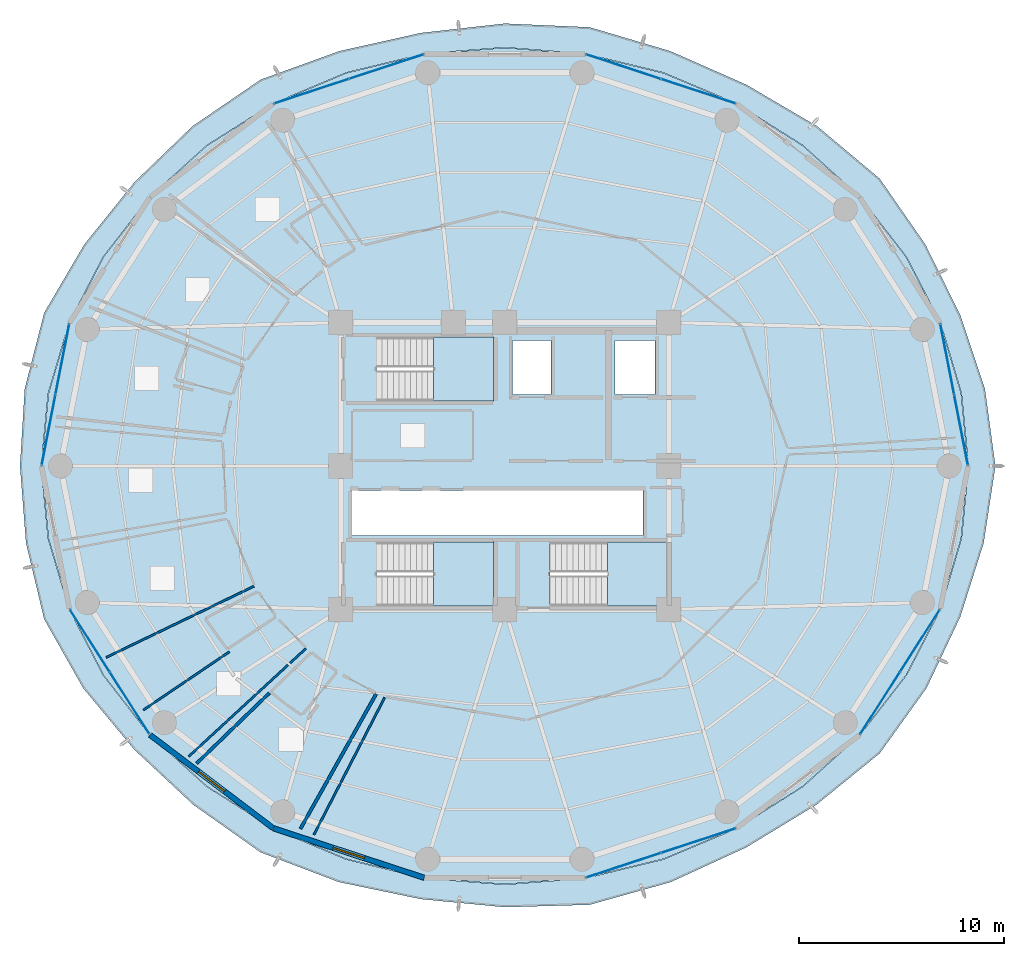
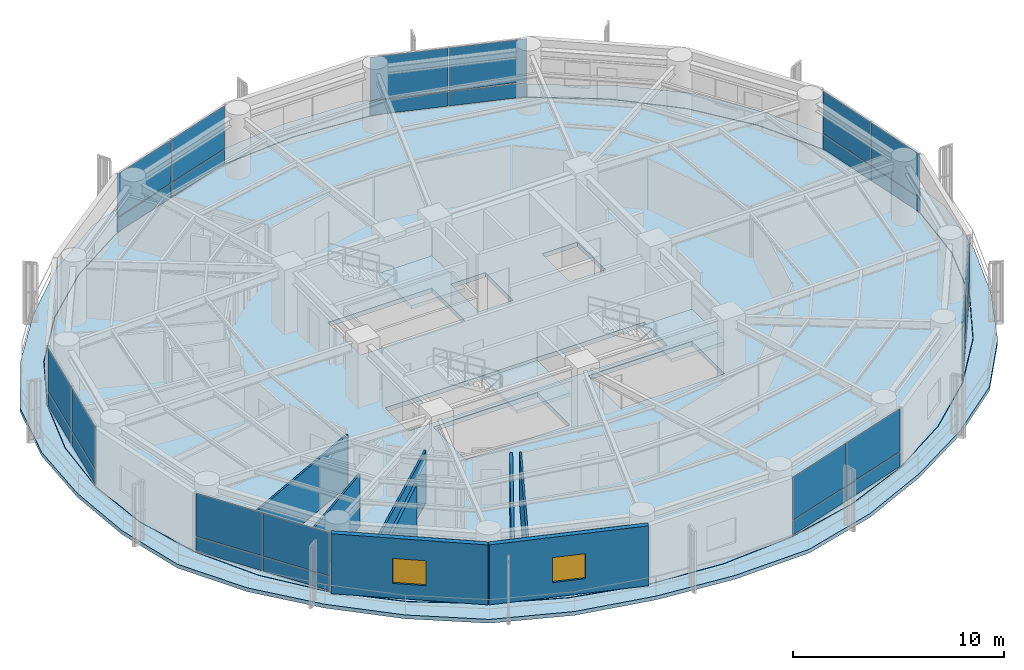
# One storey, part 21 of 28: 28 plates, 8 walls, 5 slabs, 2 windows, 2 openings, 10 elements without a shape of their own.
"""IFC4 building model written with IfcOpenShell, lengths in metres."""

from ifc_helpers import new_model, si_unit, direction, frame, frame_2d, origin, origin_2d, place, context, subcontext, project, spatial, polyline, rectangle, outline, extrude, source, transform, mapped, material, layer, layer_set, type_object, element, fill, aggregate, save


model = new_model("IFC4")

# Units and contexts
model_context = context("Model", 3, precision=1e-05, world=origin(), true_north=direction((0.0, 1.0)))
body_context = subcontext(model_context, "Body", "Model", "MODEL_VIEW")
ifc_project = project(units=[si_unit("LENGTHUNIT", "METRE"), si_unit("AREAUNIT", "SQUARE_METRE"), si_unit("VOLUMEUNIT", "CUBIC_METRE"), si_unit("PLANEANGLEUNIT", "RADIAN"), si_unit("MASSUNIT", "GRAM", prefix="KILO")], contexts=[model_context])

# Site, building, storey
site_placement = place(None, origin())
site = spatial("IfcSite", under=ifc_project, at=site_placement, CompositionType="ELEMENT")
building_placement = place(site_placement, origin())
building = spatial("IfcBuilding", under=site, at=building_placement, Name="Kelanora Arch Commons", CompositionType="ELEMENT")
storey_placement = place(building_placement, frame((0.0, 0.0, 158.10009765625)))
storey = spatial("IfcBuildingStorey", under=building, at=storey_placement, Name="L40", CompositionType="ELEMENT", Elevation=158.10009765625)

# Stair, slab
ifc_material_1 = material(Name="Concrete C40/50", Category="concrete")
stair_type = type_object("IfcStairType", Name="STR-DL-375", PredefinedType="HALF_TURN_STAIR", material=ifc_material_1)
stair_1_placement = place(storey_placement, origin())
stair_1 = element("IfcStair", 1, at=stair_1_placement, inside=storey, type_object=stair_type, Name="L40 ST-T1", PredefinedType="HALF_TURN_STAIR")
ifc_layer_1 = layer(ifc_material_1, 0.199951171875)
ifc_layer_set_1 = layer_set([ifc_layer_1], Name="Concrete C40/50")
slab_type_1 = type_object("IfcSlabType", Name="SLB-STAIR-LND", PredefinedType="LANDING", material=ifc_layer_set_1)
slab_1_placement = place(storey_placement, frame((0.0, 0.0, 1.6748046875)))
slab_1 = element("IfcSlab", 2, at=slab_1_placement, type_object=slab_type_1, Name="ST-T1 landing 1", PredefinedType="LANDING", context=body_context, shape_type="SweptSolid", body=[
    extrude(outline(polyline([(70.52001953125, 61.179931640625), (73.43994140625, 61.179931640625), (73.43994140625, 64.2900390625), (70.52001953125, 64.2900390625), (70.52001953125, 61.179931640625)])), origin(), (0.0, 0.0, 1.0), 0.2001953125),
])
aggregate(stair_1, [slab_1])

stair_2_placement = place(storey_placement, origin())
stair_2 = element("IfcStair", 3, at=stair_2_placement, inside=storey, type_object=stair_type, Name="L40 ST-T2", PredefinedType="HALF_TURN_STAIR")
slab_2_placement = place(storey_placement, frame((0.0, 0.0, 1.6748046875)))
slab_2 = element("IfcSlab", 4, at=slab_2_placement, type_object=slab_type_1, Name="ST-T2 landing 1", PredefinedType="LANDING", context=body_context, shape_type="SweptSolid", body=[
    extrude(outline(polyline([(79.0, 51.179931640625), (81.919921875, 51.179931640625), (81.919921875, 54.2900390625), (79.0, 54.2900390625), (79.0, 51.179931640625)])), origin(), (0.0, 0.0, 1.0), 0.2001953125),
])
aggregate(stair_2, [slab_2])

stair_3_placement = place(storey_placement, origin())
stair_3 = element("IfcStair", 5, at=stair_3_placement, inside=storey, type_object=stair_type, Name="L40 ST-T3", PredefinedType="HALF_TURN_STAIR")
slab_3_placement = place(storey_placement, frame((0.0, 0.0, 1.6748046875)))
slab_3 = element("IfcSlab", 6, at=slab_3_placement, type_object=slab_type_1, Name="ST-T3 landing 1", PredefinedType="LANDING", context=body_context, shape_type="SweptSolid", body=[
    extrude(outline(polyline([(70.52001953125, 51.179931640625), (73.43994140625, 51.179931640625), (73.43994140625, 54.2900390625), (70.52001953125, 54.2900390625), (70.52001953125, 51.179931640625)])), origin(), (0.0, 0.0, 1.0), 0.2001953125),
])
aggregate(stair_3, [slab_3])

# Slabs
ifc_layer_2 = layer(ifc_material_1, 0.260009765625)
ifc_layer_set_2 = layer_set([ifc_layer_2], Name="Concrete C40/50")
slab_type_2 = type_object("IfcSlabType", Name="SLB-TWR-TYP", PredefinedType="FLOOR", material=ifc_layer_set_2)
slab_4_placement = place(storey_placement, frame((0.0, 0.0, -0.260009765625)))
element("IfcSlab", 7, at=slab_4_placement, inside=storey, type_object=slab_type_2, Name="Tower Floor Slab L40", PredefinedType="FLOOR", context=body_context, shape_type="SweptSolid", body=[
    extrude(outline(polyline([(96.60009765625, 58.0), (96.256591796875, 61.54248046875), (95.237060546875, 64.977294921875), (93.572265625, 68.199951171875), (91.3125, 71.11279296875), (88.527099609375, 73.627197265625), (85.300048828125, 75.6669921875), (81.729736328125, 77.169677734375), (77.92431640625, 78.090087890625), (74.0, 78.39990234375), (70.07568359375, 78.090087890625), (66.270263671875, 77.169677734375), (62.699951171875, 75.6669921875), (59.472900390625, 73.627197265625), (56.6875, 71.11279296875), (54.427734375, 68.199951171875), (52.762939453125, 64.977294921875), (51.743408203125, 61.54248046875), (51.39990234375, 58.0), (51.743408203125, 54.45751953125), (52.762939453125, 51.022705078125), (54.427734375, 47.800048828125), (56.6875, 44.88720703125), (59.472900390625, 42.372802734375), (62.699951171875, 40.3330078125), (66.270263671875, 38.830322265625), (70.07568359375, 37.909912109375), (74.0, 37.60009765625), (77.92431640625, 37.909912109375), (81.729736328125, 38.830322265625), (85.300048828125, 40.3330078125), (88.527099609375, 42.372802734375), (91.3125, 44.88720703125), (93.572265625, 47.800048828125), (95.237060546875, 51.022705078125), (96.256591796875, 54.45751953125), (96.60009765625, 58.0)]), holes=[polyline([(73.431884765625, 51.18798828125), (67.72802734375, 51.18798828125), (67.72802734375, 54.281982421875), (73.431884765625, 54.281982421875), (73.431884765625, 51.18798828125)]), polyline([(76.2080078125, 51.18798828125), (76.2080078125, 54.281982421875), (81.912109375, 54.281982421875), (81.912109375, 51.18798828125), (76.2080078125, 51.18798828125)]), polyline([(66.550048828125, 54.60009765625), (66.550048828125, 56.800048828125), (80.75, 56.800048828125), (80.75, 54.60009765625), (66.550048828125, 54.60009765625)]), polyline([(73.431884765625, 61.18798828125), (67.72802734375, 61.18798828125), (67.72802734375, 64.281982421875), (73.431884765625, 64.281982421875), (73.431884765625, 61.18798828125)]), polyline([(74.3798828125, 61.47998046875), (74.3798828125, 64.1201171875), (76.260009765625, 64.1201171875), (76.260009765625, 61.47998046875), (74.3798828125, 61.47998046875)]), polyline([(79.3798828125, 61.47998046875), (79.3798828125, 64.1201171875), (81.320068359375, 64.1201171875), (81.320068359375, 61.47998046875), (79.3798828125, 61.47998046875)])]), origin(), (0.0, 0.0, 1.0), 0.260009765625),
])
ifc_layer_3 = layer(ifc_material_1, 0.219970703125)
ifc_layer_set_3 = layer_set([ifc_layer_3], Name="Concrete C40/50")
slab_type_3 = type_object("IfcSlabType", Name="SLB-WAVE-BAL", PredefinedType="FLOOR", material=ifc_layer_set_3)
slab_5_placement = place(storey_placement, frame((0.0, 0.0, -0.22021484375)))
element("IfcSlab", 8, at=slab_5_placement, inside=storey, type_object=slab_type_3, Name="Sinusoidal Wave Balcony Slab L40", PredefinedType="FLOOR", context=body_context, shape_type="SweptSolid", body=[
    extrude(outline(polyline([(97.9287109375, 58.0), (97.41748046875, 61.769287109375), (96.2109375, 65.369873046875), (94.515869140625, 68.8037109375), (92.285888671875, 72.017578125), (89.2412109375, 74.570068359375), (85.785400390625, 76.59814453125), (82.079345703125, 78.23388671875), (78.13330078125, 79.40234375), (74.0, 79.582763671875), (69.910400390625, 79.126953125), (65.920654296875, 78.23388671875), (62.0859375, 76.84521484375), (58.7587890625, 74.570068359375), (55.91845703125, 71.827880859375), (53.484130859375, 68.8037109375), (51.530517578125, 65.47412109375), (50.58251953125, 61.769287109375), (50.35009765625, 58.0), (50.643798828125, 54.242919921875), (51.530517578125, 50.52587890625), (53.431396484375, 47.16259765625), (55.91845703125, 44.172119140625), (58.796630859375, 41.479736328125), (62.0859375, 39.15478515625), (65.901123046875, 37.70654296875), (69.910400390625, 36.873046875), (74.0, 36.479736328125), (78.13330078125, 36.59765625), (82.098876953125, 37.70654296875), (85.785400390625, 39.40185546875), (89.203369140625, 41.479736328125), (92.285888671875, 43.982421875), (94.568603515625, 47.16259765625), (96.2109375, 50.630126953125), (97.356201171875, 54.242919921875), (97.9287109375, 58.0)]), holes=[polyline([(96.2763671875, 54.4541015625), (95.255859375, 51.015869140625), (93.589599609375, 47.7900390625), (91.327880859375, 44.874267578125), (88.539794921875, 42.357421875), (85.31005859375, 40.31591796875), (81.736572265625, 38.8115234375), (77.927978515625, 37.89013671875), (74.0, 37.580078125), (70.072021484375, 37.89013671875), (66.263427734375, 38.8115234375), (62.68994140625, 40.31591796875), (59.460205078125, 42.357421875), (56.672119140625, 44.874267578125), (54.410400390625, 47.7900390625), (52.744140625, 51.015869140625), (51.7236328125, 54.4541015625), (51.3798828125, 58.0), (51.7236328125, 61.5458984375), (52.744140625, 64.984130859375), (54.410400390625, 68.2099609375), (56.672119140625, 71.125732421875), (59.460205078125, 73.642578125), (62.68994140625, 75.68408203125), (66.263427734375, 77.1884765625), (70.072021484375, 78.10986328125), (74.0, 78.419921875), (77.927978515625, 78.10986328125), (81.736572265625, 77.1884765625), (85.31005859375, 75.68408203125), (88.539794921875, 73.642578125), (91.327880859375, 71.125732421875), (93.589599609375, 68.2099609375), (95.255859375, 64.984130859375), (96.2763671875, 61.5458984375), (96.6201171875, 58.0), (96.2763671875, 54.4541015625)])]), origin(), (0.0, 0.0, 1.0), 0.22021484375),
])

# Curtain wall, plates
ifc_material_2 = material(Name="Terracotta ceramic-fritted low-E glass and aluminium", Category="masonry")
ifc_layer_4 = layer(ifc_material_2, 0.175048828125)
ifc_layer_set_4 = layer_set([ifc_layer_4], Name="Terracotta ceramic-fritted low-E glass and aluminium")
curtain_wall_type = type_object("IfcCurtainWallType", Name="CW-SYS-02", PredefinedType="NOTDEFINED", material=ifc_layer_set_4)
curtain_wall_1_placement = place(storey_placement, origin())
curtain_wall_1 = element("IfcCurtainWall", 9, at=curtain_wall_1_placement, inside=storey, type_object=curtain_wall_type, Name="Unitised Curtain Wall L40-B00", PredefinedType="NOTDEFINED")
ifc_material_3 = material(Name="Terracotta ceramic-fritted double glazing", Category="masonry")
ifc_layer_5 = layer(ifc_material_3, 0.028076171875)
ifc_layer_set_5 = layer_set([ifc_layer_5], Name="Terracotta ceramic-fritted double glazing")
plate_type = type_object("IfcPlateType", Name="CWP-FRIT", PredefinedType="CURTAIN_PANEL", material=ifc_layer_set_5)
shared_shape_1 = source(origin(), body_context, "Body", "SweptSolid", [
    extrude(rectangle(XDim=3.449462890625, YDim=0.028076171875, at=origin_2d()), origin(), (0.0, 0.0, 1.0), 0.81005859375),
])
plate_1_placement = place(storey_placement, frame((96.2548828125, 59.766357421875, 0.059814453125), z_axis=(0.0, 0.0, 1.0), x_axis=(-0.191705182375, 0.981452557718, 0.0)))
plate_1 = element("IfcPlate", 10, at=plate_1_placement, type_object=plate_type, Name="CW-02 panel 1.1", PredefinedType="CURTAIN_PANEL", context=body_context, shape_type="MappedRepresentation", body=[
    mapped(shared_shape_1, transform((0.0, 0.0, 0.0), scale=1.0)),
])
plate_2_placement = place(storey_placement, frame((95.58203125, 63.2109375, 0.059814453125), z_axis=(0.0, 0.0, 1.0), x_axis=(-0.191705182375, 0.981452557718, 0.0)))
plate_2 = element("IfcPlate", 11, at=plate_2_placement, type_object=plate_type, Name="CW-02 panel 2.1", PredefinedType="CURTAIN_PANEL", context=body_context, shape_type="MappedRepresentation", body=[
    mapped(shared_shape_1, transform((0.0, 0.0, 0.0), scale=1.0)),
])

curtain_wall_2_placement = place(storey_placement, origin())
curtain_wall_2 = element("IfcCurtainWall", 12, at=curtain_wall_2_placement, inside=storey, type_object=curtain_wall_type, Name="Unitised Curtain Wall L40-B08", PredefinedType="NOTDEFINED")
plate_3_placement = place(storey_placement, frame((52.41796875, 63.2109375, 0.059814453125), z_axis=(0.0, 0.0, 1.0), x_axis=(-0.191705182375, -0.981452557718, 0.0)))
plate_3 = element("IfcPlate", 13, at=plate_3_placement, type_object=plate_type, Name="CW-02 panel 1.1", PredefinedType="CURTAIN_PANEL", context=body_context, shape_type="MappedRepresentation", body=[
    mapped(shared_shape_1, transform((0.0, 0.0, 0.0), scale=1.0)),
])
plate_4_placement = place(storey_placement, frame((51.7451171875, 59.766357421875, 0.059814453125), z_axis=(0.0, 0.0, 1.0), x_axis=(-0.191705182375, -0.981452557718, 0.0)))
plate_4 = element("IfcPlate", 14, at=plate_4_placement, type_object=plate_type, Name="CW-02 panel 2.1", PredefinedType="CURTAIN_PANEL", context=body_context, shape_type="MappedRepresentation", body=[
    mapped(shared_shape_1, transform((0.0, 0.0, 0.0), scale=1.0)),
])

# Plate
shared_shape_2 = source(origin(), body_context, "Body", "SweptSolid", [
    extrude(rectangle(XDim=3.449462890625, YDim=0.028076171875, at=origin_2d()), origin(), (0.0, 0.0, 1.0), 2.485107421875),
])
plate_5_placement = place(storey_placement, frame((96.2548828125, 59.766357421875, 0.9296875), z_axis=(0.0, 0.0, 1.0), x_axis=(-0.191705182375, 0.981452557718, 0.0)))
plate_5 = element("IfcPlate", 15, at=plate_5_placement, type_object=plate_type, Name="CW-02 panel 1.2", PredefinedType="CURTAIN_PANEL", context=body_context, shape_type="MappedRepresentation", body=[
    mapped(shared_shape_2, transform((0.0, 0.0, 0.0), scale=1.0)),
])

plate_6_placement = place(storey_placement, frame((95.58203125, 63.2109375, 0.9296875), z_axis=(0.0, 0.0, 1.0), x_axis=(-0.191705182375, 0.981452557718, 0.0)))
plate_6 = element("IfcPlate", 16, at=plate_6_placement, type_object=plate_type, Name="CW-02 panel 2.2", PredefinedType="CURTAIN_PANEL", context=body_context, shape_type="MappedRepresentation", body=[
    mapped(shared_shape_2, transform((0.0, 0.0, 0.0), scale=1.0)),
])

aggregate(curtain_wall_1, [plate_1, plate_5, plate_2, plate_6])

plate_7_placement = place(storey_placement, frame((52.41796875, 63.2109375, 0.9296875), z_axis=(0.0, 0.0, 1.0), x_axis=(-0.191705182375, -0.981452557718, 0.0)))
plate_7 = element("IfcPlate", 17, at=plate_7_placement, type_object=plate_type, Name="CW-02 panel 1.2", PredefinedType="CURTAIN_PANEL", context=body_context, shape_type="MappedRepresentation", body=[
    mapped(shared_shape_2, transform((0.0, 0.0, 0.0), scale=1.0)),
])

plate_8_placement = place(storey_placement, frame((51.7451171875, 59.766357421875, 0.9296875), z_axis=(0.0, 0.0, 1.0), x_axis=(-0.191705182375, -0.981452557718, 0.0)))
plate_8 = element("IfcPlate", 18, at=plate_8_placement, type_object=plate_type, Name="CW-02 panel 2.2", PredefinedType="CURTAIN_PANEL", context=body_context, shape_type="MappedRepresentation", body=[
    mapped(shared_shape_2, transform((0.0, 0.0, 0.0), scale=1.0)),
])

aggregate(curtain_wall_2, [plate_3, plate_7, plate_4, plate_8])

# Curtain wall, plates
curtain_wall_3_placement = place(storey_placement, origin())
curtain_wall_3 = element("IfcCurtainWall", 19, at=curtain_wall_3_placement, inside=storey, type_object=curtain_wall_type, Name="Unitised Curtain Wall L40-B03", PredefinedType="NOTDEFINED")
shared_shape_3 = source(origin(), body_context, "Body", "SweptSolid", [
    extrude(rectangle(XDim=3.776611328125, YDim=0.028076171875, at=origin_2d()), origin(), (0.0, 0.0, 1.0), 0.81005859375),
])
plate_9_placement = place(storey_placement, frame((83.434814453125, 76.27978515625, 0.059814453125), z_axis=(0.0, 0.0, 1.0), x_axis=(-0.95003996605, 0.312128279571, 0.0)))
plate_9 = element("IfcPlate", 20, at=plate_9_placement, type_object=plate_type, Name="CW-02 panel 1.1", PredefinedType="CURTAIN_PANEL", context=body_context, shape_type="MappedRepresentation", body=[
    mapped(shared_shape_3, transform((0.0, 0.0, 0.0), scale=1.0)),
])
plate_10_placement = place(storey_placement, frame((79.789794921875, 77.477294921875, 0.059814453125), z_axis=(0.0, 0.0, 1.0), x_axis=(-0.95003996605, 0.312128279571, 0.0)))
plate_10 = element("IfcPlate", 21, at=plate_10_placement, type_object=plate_type, Name="CW-02 panel 2.1", PredefinedType="CURTAIN_PANEL", context=body_context, shape_type="MappedRepresentation", body=[
    mapped(shared_shape_3, transform((0.0, 0.0, 0.0), scale=1.0)),
])

curtain_wall_4_placement = place(storey_placement, origin())
curtain_wall_4 = element("IfcCurtainWall", 22, at=curtain_wall_4_placement, inside=storey, type_object=curtain_wall_type, Name="Unitised Curtain Wall L40-B05", PredefinedType="NOTDEFINED")
plate_11_placement = place(storey_placement, frame((68.210205078125, 77.477294921875, 0.059814453125), z_axis=(0.0, 0.0, 1.0), x_axis=(-0.95003996605, -0.312128279571, 0.0)))
plate_11 = element("IfcPlate", 23, at=plate_11_placement, type_object=plate_type, Name="CW-02 panel 1.1", PredefinedType="CURTAIN_PANEL", context=body_context, shape_type="MappedRepresentation", body=[
    mapped(shared_shape_3, transform((0.0, 0.0, 0.0), scale=1.0)),
])
plate_12_placement = place(storey_placement, frame((64.565185546875, 76.27978515625, 0.059814453125), z_axis=(0.0, 0.0, 1.0), x_axis=(-0.95003996605, -0.312128279571, 0.0)))
plate_12 = element("IfcPlate", 24, at=plate_12_placement, type_object=plate_type, Name="CW-02 panel 2.1", PredefinedType="CURTAIN_PANEL", context=body_context, shape_type="MappedRepresentation", body=[
    mapped(shared_shape_3, transform((0.0, 0.0, 0.0), scale=1.0)),
])

curtain_wall_5_placement = place(storey_placement, origin())
curtain_wall_5 = element("IfcCurtainWall", 25, at=curtain_wall_5_placement, inside=storey, type_object=curtain_wall_type, Name="Unitised Curtain Wall L40-B14", PredefinedType="NOTDEFINED")
plate_13_placement = place(storey_placement, frame((79.789794921875, 38.522705078125, 0.059814453125), z_axis=(0.0, 0.0, 1.0), x_axis=(0.95003996605, 0.312128279571, 0.0)))
plate_13 = element("IfcPlate", 26, at=plate_13_placement, type_object=plate_type, Name="CW-02 panel 1.1", PredefinedType="CURTAIN_PANEL", context=body_context, shape_type="MappedRepresentation", body=[
    mapped(shared_shape_3, transform((0.0, 0.0, 0.0), scale=1.0)),
])
plate_14_placement = place(storey_placement, frame((83.434814453125, 39.72021484375, 0.059814453125), z_axis=(0.0, 0.0, 1.0), x_axis=(0.95003996605, 0.312128279571, 0.0)))
plate_14 = element("IfcPlate", 27, at=plate_14_placement, type_object=plate_type, Name="CW-02 panel 2.1", PredefinedType="CURTAIN_PANEL", context=body_context, shape_type="MappedRepresentation", body=[
    mapped(shared_shape_3, transform((0.0, 0.0, 0.0), scale=1.0)),
])

# Plate
shared_shape_4 = source(origin(), body_context, "Body", "SweptSolid", [
    extrude(rectangle(XDim=3.776611328125, YDim=0.028076171875, at=origin_2d()), origin(), (0.0, 0.0, 1.0), 2.485107421875),
])
plate_15_placement = place(storey_placement, frame((83.434814453125, 76.27978515625, 0.9296875), z_axis=(0.0, 0.0, 1.0), x_axis=(-0.95003996605, 0.312128279571, 0.0)))
plate_15 = element("IfcPlate", 28, at=plate_15_placement, type_object=plate_type, Name="CW-02 panel 1.2", PredefinedType="CURTAIN_PANEL", context=body_context, shape_type="MappedRepresentation", body=[
    mapped(shared_shape_4, transform((0.0, 0.0, 0.0), scale=1.0)),
])

plate_16_placement = place(storey_placement, frame((79.789794921875, 77.477294921875, 0.9296875), z_axis=(0.0, 0.0, 1.0), x_axis=(-0.95003996605, 0.312128279571, 0.0)))
plate_16 = element("IfcPlate", 29, at=plate_16_placement, type_object=plate_type, Name="CW-02 panel 2.2", PredefinedType="CURTAIN_PANEL", context=body_context, shape_type="MappedRepresentation", body=[
    mapped(shared_shape_4, transform((0.0, 0.0, 0.0), scale=1.0)),
])

aggregate(curtain_wall_3, [plate_9, plate_15, plate_10, plate_16])

plate_17_placement = place(storey_placement, frame((68.210205078125, 77.477294921875, 0.9296875), z_axis=(0.0, 0.0, 1.0), x_axis=(-0.95003996605, -0.312128279571, 0.0)))
plate_17 = element("IfcPlate", 30, at=plate_17_placement, type_object=plate_type, Name="CW-02 panel 1.2", PredefinedType="CURTAIN_PANEL", context=body_context, shape_type="MappedRepresentation", body=[
    mapped(shared_shape_4, transform((0.0, 0.0, 0.0), scale=1.0)),
])

plate_18_placement = place(storey_placement, frame((64.565185546875, 76.27978515625, 0.9296875), z_axis=(0.0, 0.0, 1.0), x_axis=(-0.95003996605, -0.312128279571, 0.0)))
plate_18 = element("IfcPlate", 31, at=plate_18_placement, type_object=plate_type, Name="CW-02 panel 2.2", PredefinedType="CURTAIN_PANEL", context=body_context, shape_type="MappedRepresentation", body=[
    mapped(shared_shape_4, transform((0.0, 0.0, 0.0), scale=1.0)),
])

aggregate(curtain_wall_4, [plate_11, plate_17, plate_12, plate_18])

plate_19_placement = place(storey_placement, frame((79.789794921875, 38.522705078125, 0.9296875), z_axis=(0.0, 0.0, 1.0), x_axis=(0.95003996605, 0.312128279571, 0.0)))
plate_19 = element("IfcPlate", 32, at=plate_19_placement, type_object=plate_type, Name="CW-02 panel 1.2", PredefinedType="CURTAIN_PANEL", context=body_context, shape_type="MappedRepresentation", body=[
    mapped(shared_shape_4, transform((0.0, 0.0, 0.0), scale=1.0)),
])

plate_20_placement = place(storey_placement, frame((83.434814453125, 39.72021484375, 0.9296875), z_axis=(0.0, 0.0, 1.0), x_axis=(0.95003996605, 0.312128279571, 0.0)))
plate_20 = element("IfcPlate", 33, at=plate_20_placement, type_object=plate_type, Name="CW-02 panel 2.2", PredefinedType="CURTAIN_PANEL", context=body_context, shape_type="MappedRepresentation", body=[
    mapped(shared_shape_4, transform((0.0, 0.0, 0.0), scale=1.0)),
])

aggregate(curtain_wall_5, [plate_13, plate_19, plate_14, plate_20])

# Curtain wall, plates
curtain_wall_6_placement = place(storey_placement, origin())
curtain_wall_6 = element("IfcCurtainWall", 34, at=curtain_wall_6_placement, inside=storey, type_object=curtain_wall_type, Name="Unitised Curtain Wall L40-B10", PredefinedType="NOTDEFINED")
shared_shape_5 = source(origin(), body_context, "Body", "SweptSolid", [
    extrude(rectangle(XDim=3.53662109375, YDim=0.028076171875, at=origin_2d()), origin(), (0.0, 0.0, 1.0), 0.81005859375),
])
plate_21_placement = place(storey_placement, frame((53.756103515625, 49.469970703125, 0.059814453125), z_axis=(0.0, 0.0, 1.0), x_axis=(0.538816988983, -0.842422846546, 0.0)))
plate_21 = element("IfcPlate", 35, at=plate_21_placement, type_object=plate_type, Name="CW-02 panel 1.1", PredefinedType="CURTAIN_PANEL", context=body_context, shape_type="MappedRepresentation", body=[
    mapped(shared_shape_5, transform((0.0, 0.0, 0.0), scale=1.0)),
])
plate_22_placement = place(storey_placement, frame((55.694091796875, 46.43994140625, 0.059814453125), z_axis=(0.0, 0.0, 1.0), x_axis=(0.538816988983, -0.842422846546, 0.0)))
plate_22 = element("IfcPlate", 36, at=plate_22_placement, type_object=plate_type, Name="CW-02 panel 2.1", PredefinedType="CURTAIN_PANEL", context=body_context, shape_type="MappedRepresentation", body=[
    mapped(shared_shape_5, transform((0.0, 0.0, 0.0), scale=1.0)),
])

curtain_wall_7_placement = place(storey_placement, origin())
curtain_wall_7 = element("IfcCurtainWall", 37, at=curtain_wall_7_placement, inside=storey, type_object=curtain_wall_type, Name="Unitised Curtain Wall L40-B16", PredefinedType="NOTDEFINED")
plate_23_placement = place(storey_placement, frame((92.305908203125, 46.43994140625, 0.059814453125), z_axis=(0.0, 0.0, 1.0), x_axis=(0.538816988983, 0.842422846546, 0.0)))
plate_23 = element("IfcPlate", 38, at=plate_23_placement, type_object=plate_type, Name="CW-02 panel 1.1", PredefinedType="CURTAIN_PANEL", context=body_context, shape_type="MappedRepresentation", body=[
    mapped(shared_shape_5, transform((0.0, 0.0, 0.0), scale=1.0)),
])
plate_24_placement = place(storey_placement, frame((94.243896484375, 49.469970703125, 0.059814453125), z_axis=(0.0, 0.0, 1.0), x_axis=(0.538816988983, 0.842422846546, 0.0)))
plate_24 = element("IfcPlate", 39, at=plate_24_placement, type_object=plate_type, Name="CW-02 panel 2.1", PredefinedType="CURTAIN_PANEL", context=body_context, shape_type="MappedRepresentation", body=[
    mapped(shared_shape_5, transform((0.0, 0.0, 0.0), scale=1.0)),
])

# Plate
shared_shape_6 = source(origin(), body_context, "Body", "SweptSolid", [
    extrude(rectangle(XDim=3.53662109375, YDim=0.028076171875, at=origin_2d()), origin(), (0.0, 0.0, 1.0), 2.485107421875),
])
plate_25_placement = place(storey_placement, frame((53.756103515625, 49.469970703125, 0.9296875), z_axis=(0.0, 0.0, 1.0), x_axis=(0.538816988983, -0.842422846546, 0.0)))
plate_25 = element("IfcPlate", 40, at=plate_25_placement, type_object=plate_type, Name="CW-02 panel 1.2", PredefinedType="CURTAIN_PANEL", context=body_context, shape_type="MappedRepresentation", body=[
    mapped(shared_shape_6, transform((0.0, 0.0, 0.0), scale=1.0)),
])

plate_26_placement = place(storey_placement, frame((55.694091796875, 46.43994140625, 0.9296875), z_axis=(0.0, 0.0, 1.0), x_axis=(0.538816988983, -0.842422846546, 0.0)))
plate_26 = element("IfcPlate", 41, at=plate_26_placement, type_object=plate_type, Name="CW-02 panel 2.2", PredefinedType="CURTAIN_PANEL", context=body_context, shape_type="MappedRepresentation", body=[
    mapped(shared_shape_6, transform((0.0, 0.0, 0.0), scale=1.0)),
])

aggregate(curtain_wall_6, [plate_21, plate_25, plate_22, plate_26])

plate_27_placement = place(storey_placement, frame((92.305908203125, 46.43994140625, 0.9296875), z_axis=(0.0, 0.0, 1.0), x_axis=(0.538816988983, 0.842422846546, 0.0)))
plate_27 = element("IfcPlate", 42, at=plate_27_placement, type_object=plate_type, Name="CW-02 panel 1.2", PredefinedType="CURTAIN_PANEL", context=body_context, shape_type="MappedRepresentation", body=[
    mapped(shared_shape_6, transform((0.0, 0.0, 0.0), scale=1.0)),
])

plate_28_placement = place(storey_placement, frame((94.243896484375, 49.469970703125, 0.9296875), z_axis=(0.0, 0.0, 1.0), x_axis=(0.538816988983, 0.842422846546, 0.0)))
plate_28 = element("IfcPlate", 43, at=plate_28_placement, type_object=plate_type, Name="CW-02 panel 2.2", PredefinedType="CURTAIN_PANEL", context=body_context, shape_type="MappedRepresentation", body=[
    mapped(shared_shape_6, transform((0.0, 0.0, 0.0), scale=1.0)),
])

aggregate(curtain_wall_7, [plate_23, plate_27, plate_24, plate_28])

# Walls
ifc_material_4 = material(Name="Autoclaved aerated concrete blockwork with fire plaster", Category="masonry")
ifc_layer_6 = layer(ifc_material_4, 0.14990234375)
ifc_layer_set_6 = layer_set([ifc_layer_6], Name="Autoclaved aerated concrete blockwork with fire plaster")
wall_type_1 = type_object("IfcWallType", Name="W-COMP-150", PredefinedType="PARTITIONING", material=ifc_layer_set_6)
wall_1_placement = place(storey_placement, frame((67.723388671875, 46.880126953125, 0.0), z_axis=(0.0, 0.0, 1.0), x_axis=(-0.489843086235, -0.8718106164, 0.0)))
element("IfcWall", 44, at=wall_1_placement, inside=storey, type_object=wall_type_1, Name="Cluster Bedroom L40-07 Enclosure Partition 2", PredefinedType="PARTITIONING", context=body_context, shape_type="SweptSolid", body=[
    extrude(rectangle(XDim=7.540771484375, YDim=0.14990234375, at=frame_2d((3.7705078125, 0.0))), origin(), (0.0, 0.0, 1.0), 3.02490234375),
])
wall_2_placement = place(storey_placement, frame((58.9658203125, 43.49169921875, 0.0), z_axis=(0.0, 0.0, 1.0), x_axis=(0.718569427948, 0.695455230204, 0.0)))
element("IfcWall", 45, at=wall_2_placement, inside=storey, type_object=wall_type_1, Name="Cluster Bedroom L40-07 Enclosure Partition 5", PredefinedType="PARTITIONING", context=body_context, shape_type="SweptSolid", body=[
    extrude(rectangle(XDim=4.9326171875, YDim=0.14990234375, at=frame_2d((2.46630859375, 0.0))), origin(), (0.0, 0.0, 1.0), 3.02490234375),
])

# Wall, opening, window
ifc_material_5 = material(Name="Precast concrete C40/50 with terracotta rainscreen", Category="masonry")
ifc_layer_7 = layer(ifc_material_5, 0.260009765625)
ifc_layer_set_7 = layer_set([ifc_layer_7], Name="Precast concrete C40/50 with terracotta rainscreen")
wall_type_2 = type_object("IfcWallType", Name="W-EXT-TC", PredefinedType="SOLIDWALL", material=ifc_layer_set_7)
wall_3_placement = place(storey_placement, frame((56.699462890625, 44.8779296875, 0.0), z_axis=(0.0, 0.0, 1.0), x_axis=(0.797163719609, -0.603763202042, 0.0)))
wall_3 = element("IfcWall", 46, at=wall_3_placement, inside=storey, type_object=wall_type_2, Name="Terracotta Exterior Wall L40-B11", PredefinedType="SOLIDWALL", context=body_context, shape_type="SweptSolid", body=[
    extrude(rectangle(XDim=7.51220703125, YDim=0.260009765625, at=frame_2d((3.756103515625, 0.0))), origin(), (0.0, 0.0, 1.0), 3.474853515625),
])
opening_1_placement = place(wall_3_placement, frame((2.9560546875, 0.0, 0.85009765625)))
opening_1 = element("IfcOpeningElement", 47, at=opening_1_placement, cuts=wall_3, Name="Opening WN-01", PredefinedType="OPENING", context=body_context, shape_type="SweptSolid", body=[
    extrude(rectangle(XDim=1.60009765625, YDim=1.449951171875, at=frame_2d((0.800048828125, 0.72509765625))), frame((0.0, 0.14013671875, 0.0), z_axis=(0.0, -1.0, 0.0), x_axis=(1.0, 0.0, 0.0)), (0.0, 0.0, 1.0), 0.280029296875),
])
ifc_material_6 = material(Name="Terracotta-anodised aluminium frame with operable low-E glazing", Category="masonry")
window_type = type_object("IfcWindowType", Name="WIN-CL-18", PartitioningType="DOUBLE_PANEL_VERTICAL", PredefinedType="WINDOW", material=ifc_material_6)
window_1_placement = place(opening_1_placement, origin())
window_1 = element("IfcWindow", 48, at=window_1_placement, inside=storey, type_object=window_type, Name="Co-Living Operable Window L40-B11", OverallHeight=1.449951171875, OverallWidth=1.60009765625, PartitioningType="SINGLE_PANEL", PredefinedType="WINDOW", context=body_context, shape_type="SweptSolid", body=[
    extrude(rectangle(XDim=1.60009765625, YDim=1.449951171875, at=frame_2d((0.800048828125, 0.72509765625))), frame((0.0, 0.030029296875, 0.0), z_axis=(0.0, -1.0, 0.0), x_axis=(1.0, 0.0, 0.0)), (0.0, 0.0, 1.0), 0.06005859375),
])
fill(opening_1, window_1)

wall_4_placement = place(storey_placement, frame((62.71435546875, 40.328369140625, 0.0), z_axis=(0.0, 0.0, 1.0), x_axis=(0.950038302428, -0.312133343173, 0.0)))
wall_4 = element("IfcWall", 49, at=wall_4_placement, inside=storey, type_object=wall_type_2, Name="Terracotta Exterior Wall L40-B12", PredefinedType="SOLIDWALL", context=body_context, shape_type="SweptSolid", body=[
    extrude(rectangle(XDim=7.7333984375, YDim=0.260009765625, at=frame_2d((3.86669921875, 0.0))), origin(), (0.0, 0.0, 1.0), 3.474853515625),
])
opening_2_placement = place(wall_4_placement, frame((3.06689453125, 0.0, 0.85009765625)))
opening_2 = element("IfcOpeningElement", 50, at=opening_2_placement, cuts=wall_4, Name="Opening WN-01", PredefinedType="OPENING", context=body_context, shape_type="SweptSolid", body=[
    extrude(rectangle(XDim=1.60009765625, YDim=1.449951171875, at=frame_2d((0.800048828125, 0.72509765625))), frame((0.0, 0.14013671875, 0.0), z_axis=(0.0, -1.0, 0.0), x_axis=(1.0, 0.0, 0.0)), (0.0, 0.0, 1.0), 0.280029296875),
])
window_2_placement = place(opening_2_placement, origin())
window_2 = element("IfcWindow", 51, at=window_2_placement, inside=storey, type_object=window_type, Name="Co-Living Operable Window L40-B12", OverallHeight=1.449951171875, OverallWidth=1.60009765625, PartitioningType="SINGLE_PANEL", PredefinedType="WINDOW", context=body_context, shape_type="SweptSolid", body=[
    extrude(rectangle(XDim=1.60009765625, YDim=1.449951171875, at=frame_2d((0.800048828125, 0.72509765625))), frame((0.0, 0.030029296875, 0.0), z_axis=(0.0, -1.0, 0.0), x_axis=(1.0, 0.0, 0.0)), (0.0, 0.0, 1.0), 0.06005859375),
])
fill(opening_2, window_2)

# Walls
ifc_material_7 = material(Name="Lightweight fire-rated acoustic stud partition")
ifc_layer_8 = layer(ifc_material_7, 0.10009765625)
ifc_layer_set_8 = layer_set([ifc_layer_8], Name="Lightweight fire-rated acoustic stud partition")
wall_type_3 = type_object("IfcWallType", Name="W-PART-100", PredefinedType="PARTITIONING", material=ifc_layer_set_8)
wall_5_placement = place(storey_placement, frame((64.6875, 40.0185546875, 0.0), z_axis=(0.0, 0.0, 1.0), x_axis=(0.458748787104, 0.888566007864, 0.0)))
element("IfcWall", 52, at=wall_5_placement, inside=storey, type_object=wall_type_3, Name="South-East Social Sky Lounge L40 Enclosure Partition 10", PredefinedType="PARTITIONING", context=body_context, shape_type="SweptSolid", body=[
    extrude(rectangle(XDim=7.518798828125, YDim=0.10009765625, at=frame_2d((3.75927734375, 0.0))), origin(), (0.0, 0.0, 1.0), 3.02490234375),
])
wall_6_placement = place(storey_placement, frame((61.760986328125, 52.133544921875, 0.0), z_axis=(0.0, 0.0, 1.0), x_axis=(-0.900968975812, -0.433883515042, 0.0)))
element("IfcWall", 53, at=wall_6_placement, inside=storey, type_object=wall_type_3, Name="Social Sky Lounge L40-05 Enclosure Partition 2", PredefinedType="PARTITIONING", context=body_context, shape_type="SweptSolid", body=[
    extrude(rectangle(XDim=8.000244140625, YDim=0.10009765625, at=frame_2d((4.0, 0.0))), origin(), (0.0, 0.0, 1.0), 2.974853515625),
])
wall_7_placement = place(storey_placement, frame((64.29150390625, 49.093994140625, 0.0), z_axis=(0.0, 0.0, 1.0), x_axis=(-0.73529828134, -0.677743636973, 0.0)))
element("IfcWall", 54, at=wall_7_placement, inside=storey, type_object=wall_type_3, Name="Tutorial Study Alcove L40-06 Enclosure Partition 2", PredefinedType="PARTITIONING", context=body_context, shape_type="SweptSolid", body=[
    extrude(rectangle(XDim=7.771240234375, YDim=0.10009765625, at=frame_2d((3.8857421875, 0.0))), origin(), (0.0, 0.0, 1.0), 3.02490234375),
])
wall_8_placement = place(storey_placement, frame((56.3671875, 46.096435546875, 0.0), z_axis=(0.0, 0.0, 1.0), x_axis=(0.828061619218, 0.560637097219, 0.0)))
element("IfcWall", 55, at=wall_8_placement, inside=storey, type_object=wall_type_3, Name="Tutorial Study Alcove L40-06 Enclosure Partition 4", PredefinedType="PARTITIONING", context=body_context, shape_type="SweptSolid", body=[
    extrude(rectangle(XDim=5.06494140625, YDim=0.10009765625, at=frame_2d((2.532470703125, 0.0))), origin(), (0.0, 0.0, 1.0), 3.02490234375),
])

save(model, "model.ifc")
